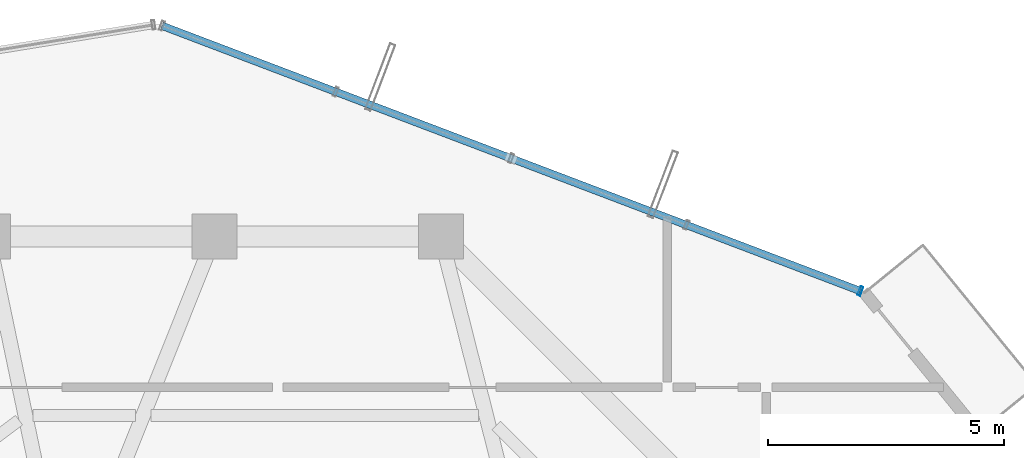
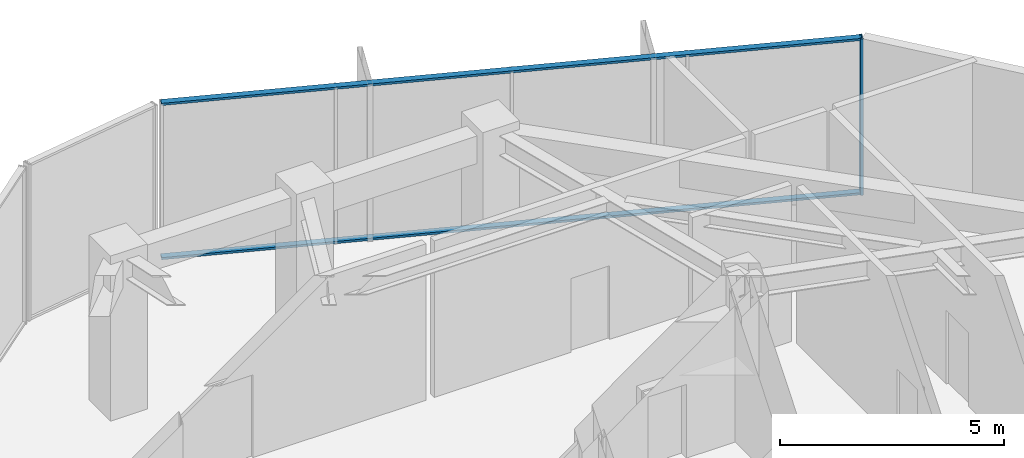
# One storey, part 16 of 22: 3 members, 1 element without a shape of its own.
"""IFC4 building model written with IfcOpenShell, lengths in metres."""

import ifcopenshell
import ifcopenshell.guid

model = None  # the IFC model being written
_history = None  # IfcOwnerHistory: only IFC2X3 demands one
_inside = {}  # id of a spatial element -> (the spatial element, [elements in it])
_under = {}  # id of a project, library or spatial element -> (it, [spatial elements below it])
_declared = {}  # id of a project -> (the project, [libraries it declares])
_typed = {}  # id of a type object -> (the type object, [elements of that type])
_made_of = {}  # id of a material, layer set ... -> (it, [elements and type objects made of it])


def new_model(schema):
    """Start an empty IFC model of exactly this schema.

    Asked for "IFC4X3", IfcOpenShell would pick the latest addendum, in which some entities
    have other attributes; the version numbers below select the first issue.
    IFC2X3 requires an IfcOwnerHistory on every rooted entity: one is made here for all.
    """
    global model, _history
    if schema == "IFC4X3":
        model = ifcopenshell.file(schema_version=(4, 3, 0, 0))
    else:
        model = ifcopenshell.file(schema=schema)
    _inside.clear()
    _under.clear()
    _declared.clear()
    _typed.clear()
    _made_of.clear()
    _history = None
    if model.schema == "IFC2X3":
        org = make("IfcOrganization", Name="unknown")
        user = make(
            "IfcPersonAndOrganization",
            ThePerson=make("IfcPerson", FamilyName="unknown"),
            TheOrganization=org,
        )
        app = make(
            "IfcApplication",
            ApplicationDeveloper=org,
            Version="unknown",
            ApplicationFullName="unknown",
            ApplicationIdentifier="unknown",
        )
        _history = make(
            "IfcOwnerHistory",
            OwningUser=user,
            OwningApplication=app,
            ChangeAction="ADDED",
            CreationDate=0,
        )
    return model


def make(cls, **values):
    """One entity of the class cls with the attributes given. An attribute that is None is left unset."""
    return model.create_entity(
        cls, **{name: value for name, value in values.items() if value is not None}
    )


def rooted(cls, **values):
    """An entity with a GlobalId (a new one), such as an element, a storey or a relation."""
    return make(cls, GlobalId=ifcopenshell.guid.new(), OwnerHistory=_history, **values)


def si_unit(unit_type, name, prefix=None):
    """IfcSIUnit, for example si_unit("LENGTHUNIT", "METRE", prefix="MILLI")."""
    return make("IfcSIUnit", UnitType=unit_type, Prefix=prefix, Name=name)


def assignment(units):
    """IfcUnitAssignment: the units of a project."""
    return None if units is None else make("IfcUnitAssignment", Units=units)


def point(xyz):
    """IfcCartesianPoint."""
    return None if xyz is None else make("IfcCartesianPoint", Coordinates=xyz)


def direction(xyz):
    """IfcDirection."""
    return None if xyz is None else make("IfcDirection", DirectionRatios=xyz)


def frame(location, z_axis=None, x_axis=None):
    """IfcAxis2Placement3D, a coordinate frame: its origin and axes. An axis left out is left unset."""
    return make(
        "IfcAxis2Placement3D",
        Location=point(location),
        Axis=direction(z_axis),
        RefDirection=direction(x_axis),
    )


def frame_2d(location, x_axis=None):
    """IfcAxis2Placement2D, a coordinate frame in the plane: its origin and x axis."""
    return make(
        "IfcAxis2Placement2D", Location=point(location), RefDirection=direction(x_axis)
    )


def origin():
    """The frame at (0, 0, 0) with its axes left unset."""
    return frame((0.0, 0.0, 0.0))


def origin_2d():
    """The frame at (0, 0) in the plane with its x axis left unset."""
    return frame_2d((0.0, 0.0))


def place(relative_to, where):
    """IfcLocalPlacement: puts the frame where relative to a parent placement (None: the world)."""
    return make(
        "IfcLocalPlacement", PlacementRelTo=relative_to, RelativePlacement=where
    )


def context(
    kind, dimensions, precision=None, world=None, true_north=None, identifier=None
):
    """IfcGeometricRepresentationContext, for example the 3D "Model" context."""
    return make(
        "IfcGeometricRepresentationContext",
        ContextIdentifier=identifier,
        ContextType=kind,
        CoordinateSpaceDimension=dimensions,
        Precision=precision,
        WorldCoordinateSystem=world,
        TrueNorth=true_north,
    )


def subcontext(parent, identifier, kind, view, scale=None):
    """IfcGeometricRepresentationSubContext, for example "Body" below "Model"."""
    return make(
        "IfcGeometricRepresentationSubContext",
        ContextIdentifier=identifier,
        ContextType=kind,
        ParentContext=parent,
        TargetScale=scale,
        TargetView=view,
    )


def project(units=None, contexts=None):
    """IfcProject with its units and contexts."""
    return rooted(
        "IfcProject",
        Name="project",
        RepresentationContexts=contexts,
        UnitsInContext=assignment(units),
    )


def spatial(cls, under=None, at=None, **own):
    """A site, building, storey or space (cls), placed at a placement, below another one or the project."""
    s = rooted(cls, ObjectPlacement=at, **own)
    if under is not None:
        _under.setdefault(under.id(), (under, []))[1].append(s)
    return s


def profile(cls, at=None, kind="AREA", **sizes):
    """A parametric profile (cls). Its sizes go by their IFC names, for example OverallWidth=200.0."""
    return make(cls, ProfileType=kind, Position=at, **sizes)


def hollow_rectangle(**sizes):
    """IfcRectangleHollowProfileDef."""
    return profile("IfcRectangleHollowProfileDef", **sizes)


def extrude(swept, where, along, depth):
    """IfcExtrudedAreaSolid: the profile swept, set in the frame where, extruded along a direction by depth."""
    return make(
        "IfcExtrudedAreaSolid",
        SweptArea=swept,
        Position=where,
        ExtrudedDirection=direction(along),
        Depth=depth,
    )


def shape(context_of_items, identifier, shape_type, items):
    """IfcShapeRepresentation: the items that make up one representation, for example the "Body"."""
    return make(
        "IfcShapeRepresentation",
        ContextOfItems=context_of_items,
        RepresentationIdentifier=identifier,
        RepresentationType=shape_type,
        Items=items,
    )


def source(mapping_origin, context_of_items, identifier, shape_type, items):
    """IfcRepresentationMap: a shape defined once, which mapped items show again and again."""
    return make(
        "IfcRepresentationMap",
        MappingOrigin=mapping_origin,
        MappedRepresentation=shape(context_of_items, identifier, shape_type, items),
    )


def transform(
    local_origin,
    x_axis=None,
    y_axis=None,
    z_axis=None,
    scale=None,
    scale2=None,
    scale3=None,
    uniform=True,
):
    """IfcCartesianTransformationOperator3D, or its non-uniform kind. x_axis, y_axis, z_axis: its Axis1, 2, 3."""
    if uniform:
        return make(
            "IfcCartesianTransformationOperator3D",
            Axis1=direction(x_axis),
            Axis2=direction(y_axis),
            LocalOrigin=point(local_origin),
            Scale=scale,
            Axis3=direction(z_axis),
        )
    return make(
        "IfcCartesianTransformationOperator3DnonUniform",
        Axis1=direction(x_axis),
        Axis2=direction(y_axis),
        LocalOrigin=point(local_origin),
        Scale=scale,
        Axis3=direction(z_axis),
        Scale2=scale2,
        Scale3=scale3,
    )


def mapped(mapping_source, mapping_target):
    """IfcMappedItem: shows the shape of a source again, moved by a transform."""
    return make(
        "IfcMappedItem", MappingSource=mapping_source, MappingTarget=mapping_target
    )


def material(Name=None, Category=None):
    """IfcMaterial."""
    return make("IfcMaterial", Name=Name, Category=Category)


def layer(
    of_material, thickness, ventilated=None, Name=None, Category=None, Priority=None
):
    """IfcMaterialLayer: one layer of a wall or slab, of a material (None: an air gap)."""
    return make(
        "IfcMaterialLayer",
        Material=of_material,
        LayerThickness=thickness,
        IsVentilated=ventilated,
        Name=Name,
        Category=Category,
        Priority=Priority,
    )


def layer_set(layers, Name=None):
    """IfcMaterialLayerSet."""
    return make("IfcMaterialLayerSet", MaterialLayers=layers, LayerSetName=Name)


def material_profile(
    of_material, cross_section, Name=None, Category=None, Priority=None
):
    """IfcMaterialProfile: a cross section and its material."""
    return make(
        "IfcMaterialProfile",
        Name=Name,
        Material=of_material,
        Profile=cross_section,
        Priority=Priority,
        Category=Category,
    )


def profile_set(profiles, Name=None, composite=None):
    """IfcMaterialProfileSet."""
    return make(
        "IfcMaterialProfileSet",
        Name=Name,
        MaterialProfiles=profiles,
        CompositeProfile=composite,
    )


def made_of(thing, what):
    """Note that an element or type object is made of a material, layer set ...; save() writes the relation."""
    if what is not None:
        _made_of.setdefault(what.id(), (what, []))[1].append(thing)
    return thing


def type_object(cls, material=None, **own):
    """A type object (cls), such as IfcWallType, which elements share."""
    return made_of(rooted(cls, **own), material)


def element(
    cls,
    number,
    at=None,
    inside=None,
    cuts=None,
    type_object=None,
    material=None,
    context=None,
    identifier="Body",
    shape_type=None,
    held_by="IfcProductDefinitionShape",
    body=None,
    shapes=None,
    **own,
):
    """One element of the class cls, such as IfcWall. Its Tag is "e" and its number.

    at: its placement. inside: the storey or other place that contains it. cuts: it is an
    opening in that element (IfcRelVoidsElement). A single representation is given by context,
    identifier, shape_type and body (its items); several are given by shapes. held_by: the class
    of the entity that holds the representations. save() writes the other relations.
    """
    e = rooted(cls, Tag="e%d" % number, ObjectPlacement=at, **own)
    if body is not None:
        shapes = [shape(context, identifier, shape_type, body)]
    if shapes is not None:
        e.Representation = make(held_by, Representations=shapes)
    if inside is not None:
        _inside.setdefault(inside.id(), (inside, []))[1].append(e)
    if cuts is not None:
        rooted(
            "IfcRelVoidsElement", RelatingBuildingElement=cuts, RelatedOpeningElement=e
        )
    if type_object is not None:
        _typed.setdefault(type_object.id(), (type_object, []))[1].append(e)
    return made_of(e, material)


def aggregate(whole, parts):
    """IfcRelAggregates: a whole, such as a stair, and the parts it consists of."""
    return rooted("IfcRelAggregates", RelatingObject=whole, RelatedObjects=parts)


def save(model, path):
    """Write the relations noted so far, then the file.

    IfcRelAggregates (storeys below a building ...), IfcRelContainedInSpatialStructure (elements
    in a storey), IfcRelDefinesByType, IfcRelAssociatesMaterial and IfcRelDeclares: one each for
    every whole, place, type object, material and project.
    """
    for whole, parts in _under.values():
        aggregate(whole, parts)
    for where, things in _inside.values():
        rooted(
            "IfcRelContainedInSpatialStructure",
            RelatedElements=things,
            RelatingStructure=where,
        )
    for kind, things in _typed.values():
        rooted("IfcRelDefinesByType", RelatedObjects=things, RelatingType=kind)
    for what, things in _made_of.values():
        rooted("IfcRelAssociatesMaterial", RelatedObjects=things, RelatingMaterial=what)
    for by, libraries in _declared.values():
        rooted("IfcRelDeclares", RelatingContext=by, RelatedDefinitions=libraries)
    model.write(path)


model = new_model("IFC4")

# Units and contexts
model_context = context("Model", 3, precision=1e-05, world=origin(), true_north=direction((0.0, 1.0)))
body_context = subcontext(model_context, "Body", "Model", "MODEL_VIEW")
ifc_project = project(units=[si_unit("LENGTHUNIT", "METRE"), si_unit("AREAUNIT", "SQUARE_METRE"), si_unit("VOLUMEUNIT", "CUBIC_METRE"), si_unit("PLANEANGLEUNIT", "RADIAN"), si_unit("MASSUNIT", "GRAM", prefix="KILO")], contexts=[model_context])

# Site, building, storey
site_placement = place(None, origin())
site = spatial("IfcSite", under=ifc_project, at=site_placement, CompositionType="ELEMENT")
building_placement = place(site_placement, origin())
building = spatial("IfcBuilding", under=site, at=building_placement, Name="Veraguas Prism Commons", CompositionType="ELEMENT")
storey_placement = place(building_placement, frame((0.0, 0.0, 174.35009765625)))
storey = spatial("IfcBuildingStorey", under=building, at=storey_placement, Name="L49", CompositionType="ELEMENT", Elevation=174.35009765625)

# Curtain wall, members
ifc_material = material(Name="Anodised aluminium EN AW-6063 T6", Category="aluminium")
ifc_layer = layer(ifc_material, 0.199951171875, Name="Sky Lobby and Pool Acoustic Curtain Wall", Category="aluminium")
ifc_layer_set = layer_set([ifc_layer], Name="Anodised aluminium EN AW-6063 T6")
curtain_wall_type = type_object("IfcCurtainWallType", Name="Sky Lobby and Pool Acoustic Curtain Wall", PredefinedType="NOTDEFINED", material=ifc_layer_set)
curtain_wall_placement = place(storey_placement, origin())
curtain_wall = element("IfcCurtainWall", 1, at=curtain_wall_placement, inside=storey, type_object=curtain_wall_type, Name="Tower Facade Curtain Wall L49-F1", PredefinedType="NOTDEFINED")
ifc_material_profile_1 = material_profile(ifc_material, hollow_rectangle(XDim=0.06494140625, YDim=0.199951171875, WallThickness=0.00390625, at=origin_2d()), Name="AL65X200X4")
ifc_profile_set_1 = profile_set([ifc_material_profile_1], Name="Anodised aluminium EN AW-6063 T6")
member_type_1 = type_object("IfcMemberType", Name="Curtain Wall Mullion Heavy AL 65x200x4", PredefinedType="MULLION", material=ifc_profile_set_1)
shared_shape_1 = source(origin(), body_context, "Body", "SweptSolid", [
    extrude(hollow_rectangle(XDim=0.06494140625, YDim=0.199951171875, WallThickness=0.00390625, at=origin_2d()), origin(), (0.0, 0.0, 1.0), 4.264892578125),
])
member_1_placement = place(storey_placement, frame((37.691650390625, 37.743896484375, 0.0), z_axis=(0.0, 0.0, 1.0), x_axis=(-0.934825056616, 0.355108593986, 0.0)))
member_1 = element("IfcMember", 2, at=member_1_placement, type_object=member_type_1, Name="CW-SKY Mullion 1", PredefinedType="MULLION", context=body_context, shape_type="MappedRepresentation", body=[
    mapped(shared_shape_1, transform((0.0, 0.0, 0.0), scale=1.0)),
])
ifc_material_profile_2 = material_profile(ifc_material, hollow_rectangle(XDim=0.06005859375, YDim=0.159912109375, WallThickness=0.0029296875, at=origin_2d()), Name="AL60X160X3")
ifc_profile_set_2 = profile_set([ifc_material_profile_2], Name="Anodised aluminium EN AW-6063 T6")
member_type_2 = type_object("IfcMemberType", Name="Curtain Wall Transom Heavy AL 60x160x3", PredefinedType="USERDEFINED", material=ifc_profile_set_2)
shared_shape_2 = source(origin(), body_context, "Body", "SweptSolid", [
    extrude(hollow_rectangle(XDim=0.06005859375, YDim=0.159912109375, WallThickness=0.0029296875, at=origin_2d()), origin(), (0.0, 0.0, 1.0), 15.83740234375),
])
member_2_placement = place(storey_placement, frame((37.691650390625, 37.743896484375, 0.02978515625), z_axis=(-0.934824319531, 0.355110534361, 0.0), x_axis=(0.0, 0.0, 1.0)))
member_2 = element("IfcMember", 3, at=member_2_placement, type_object=member_type_2, Name="CW-SKY Transom 1", ObjectType="TRANSOM", PredefinedType="USERDEFINED", context=body_context, shape_type="MappedRepresentation", body=[
    mapped(shared_shape_2, transform((0.0, 0.0, 0.0), scale=1.0)),
])
member_3_placement = place(storey_placement, frame((37.691650390625, 37.743896484375, 4.23486328125), z_axis=(-0.934824319531, 0.355110534361, 0.0), x_axis=(0.0, 0.0, 1.0)))
member_3 = element("IfcMember", 4, at=member_3_placement, type_object=member_type_2, Name="CW-SKY Transom 2", ObjectType="TRANSOM", PredefinedType="USERDEFINED", context=body_context, shape_type="MappedRepresentation", body=[
    mapped(shared_shape_2, transform((0.0, 0.0, 0.0), scale=1.0)),
])
aggregate(curtain_wall, [member_1, member_2, member_3])

save(model, "model.ifc")
